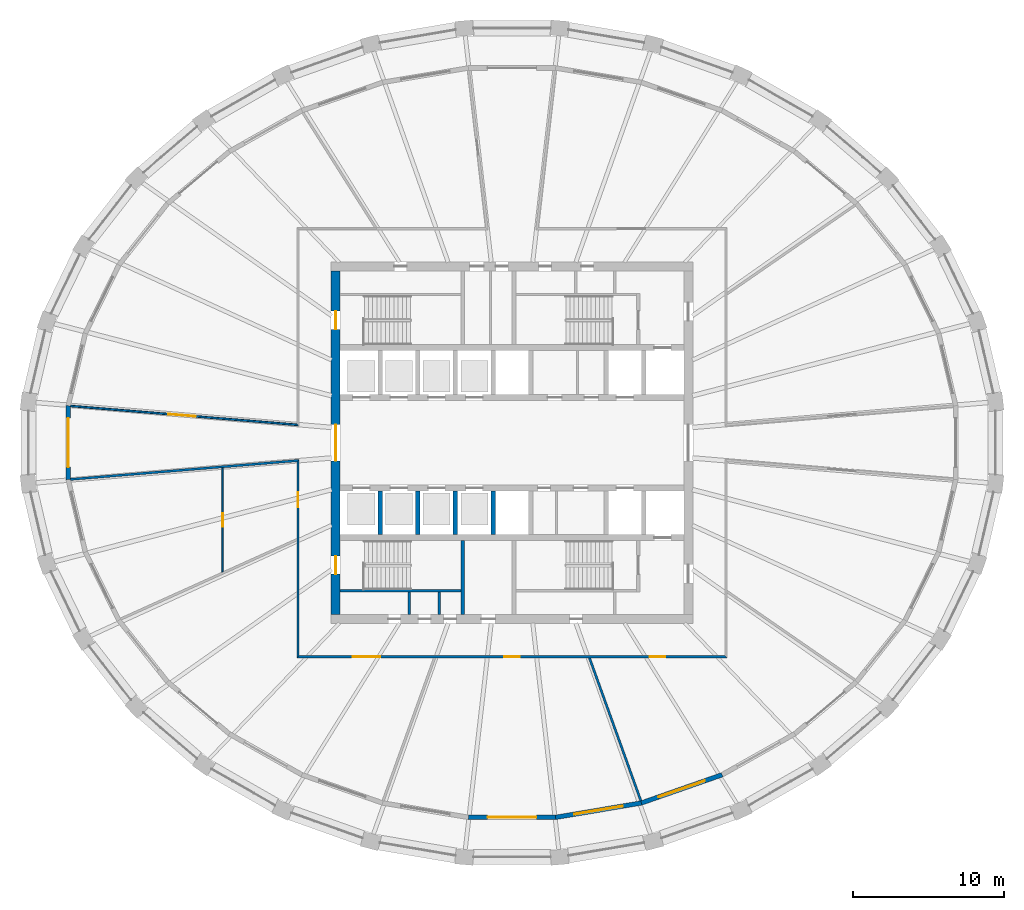
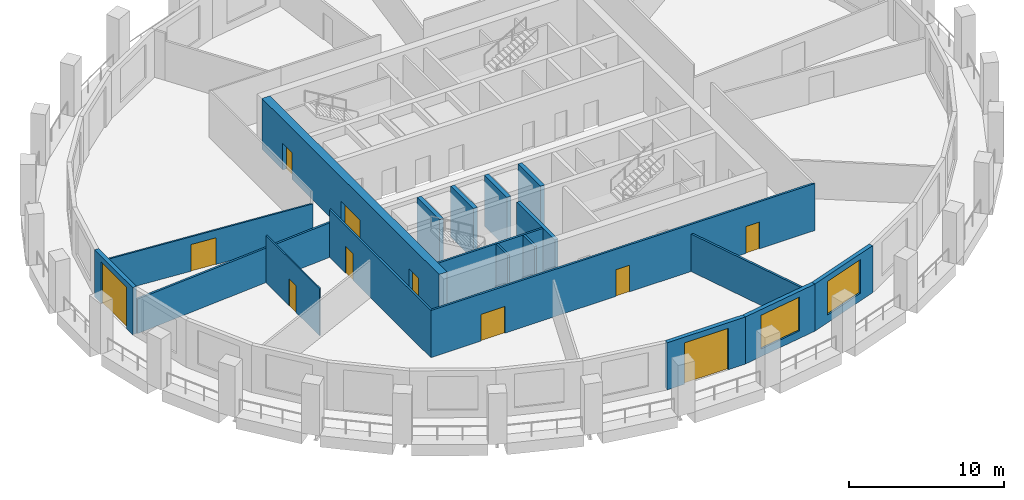
# One storey, part 3 of 10: 19 walls, 11 doors, 2 windows, 13 openings.
"""IFC4 building model written with IfcOpenShell, lengths in metres."""

from ifc_helpers import new_model, si_unit, direction, frame, frame_2d, origin, place, context, subcontext, project, spatial, polyline, rectangle, outline, extrude, material, layer, layer_set, type_object, element, fill, save


model = new_model("IFC4")

# Units and contexts
model_context = context("Model", 3, precision=1e-05, world=origin(), true_north=direction((0.0, 1.0)))
body_context = subcontext(model_context, "Body", "Model", "MODEL_VIEW")
ifc_project = project(units=[si_unit("LENGTHUNIT", "METRE"), si_unit("AREAUNIT", "SQUARE_METRE"), si_unit("VOLUMEUNIT", "CUBIC_METRE"), si_unit("PLANEANGLEUNIT", "RADIAN"), si_unit("MASSUNIT", "GRAM", prefix="KILO")], contexts=[model_context])

# Site, building, storey
site_placement = place(None, origin())
site = spatial("IfcSite", under=ifc_project, at=site_placement, CompositionType="ELEMENT")
building_placement = place(site_placement, origin())
building = spatial("IfcBuilding", under=site, at=building_placement, Name="Halqa Exchange Tower", CompositionType="ELEMENT")
storey_placement = place(building_placement, frame((0.0, 0.0, 202.89990234375)))
storey = spatial("IfcBuildingStorey", under=building, at=storey_placement, Name="L46", CompositionType="ELEMENT", Elevation=202.89990234375)

# Wall
ifc_material_1 = material(Name="Fire-rated gypsum board")
ifc_layer_1 = layer(ifc_material_1, 0.14990234375)
ifc_layer_set_1 = layer_set([ifc_layer_1], Name="Fire-rated gypsum board")
wall_type_1 = type_object("IfcWallType", Name="Fire partition EI 60 150", PredefinedType="PARTITIONING", material=ifc_layer_set_1)
wall_1_placement = place(storey_placement, frame((-29.288330078125, -2.43408203125, 0.0), z_axis=(0.0, 0.0, 1.0), x_axis=(0.9965984313, 0.082410962436, 0.0)))
element("IfcWall", 1, at=wall_1_placement, inside=storey, type_object=wall_type_1, Name="L46-PWL-002", PredefinedType="PARTITIONING", context=body_context, shape_type="SweptSolid", body=[
    extrude(outline(polyline([(0.004638671875, -0.074951171875), (1.886474609375, -0.074951171875), (3.76806640625, -0.074951171875), (5.64990234375, -0.074951171875), (7.531494140625, -0.074951171875), (9.413330078125, -0.074951171875), (11.295166015625, -0.074951171875), (13.1767578125, -0.074951171875), (15.05859375, -0.074951171875), (15.22119140625, 0.07470703125), (15.22119140625, 0.074951171875), (13.318603515625, 0.074951171875), (11.416015625, 0.074951171875), (9.51318359375, 0.074951171875), (7.610595703125, 0.074951171875), (5.7080078125, 0.074951171875), (3.80517578125, 0.074951171875), (1.902587890625, 0.074951171875), (0.0, 0.074951171875), (0.0, -0.044189453125), (0.004638671875, -0.074951171875)])), origin(), (0.0, 0.0, 1.0), 2.710205078125),
])

# Wall, opening, door
wall_2_placement = place(storey_placement, frame((-14.199951171875, -14.27490234375, 0.0), z_axis=(0.0, 0.0, 1.0), x_axis=(0.0, 1.0, 0.0)))
wall_2 = element("IfcWall", 2, at=wall_2_placement, inside=storey, type_object=wall_type_1, Name="L46-PWL-005", PredefinedType="PARTITIONING", context=body_context, shape_type="SweptSolid", body=[
    extrude(outline(polyline([(0.14990234375, -0.074951171875), (2.010009765625, -0.074951171875), (3.869873046875, -0.074951171875), (5.72998046875, -0.074951171875), (7.58984375, -0.074951171875), (9.449951171875, -0.074951171875), (11.309814453125, -0.074951171875), (13.169921875, -0.074951171875), (13.007080078125, 0.074951171875), (11.14892578125, 0.074951171875), (9.290771484375, 0.074951171875), (7.4326171875, 0.074951171875), (5.574462890625, 0.074951171875), (3.71630859375, 0.074951171875), (1.858154296875, 0.074951171875), (0.0, 0.074951171875), (0.14990234375, -0.074951171875)])), origin(), (0.0, 0.0, 1.0), 3.7001953125),
])
opening_1_placement = place(wall_2_placement, frame((9.985107421875, 0.0, 0.0)))
opening_1 = element("IfcOpeningElement", 3, at=opening_1_placement, cuts=wall_2, Name="Opening 14-03", PredefinedType="OPENING", context=body_context, shape_type="SweptSolid", body=[
    extrude(rectangle(XDim=1.0, YDim=2.10009765625, at=frame_2d((0.5, 1.050048828125))), frame((0.0, 0.0869140625, 0.0), z_axis=(0.0, -1.0, 0.0), x_axis=(1.0, 0.0, 0.0)), (0.0, 0.0, 1.0), 0.173828125),
])
ifc_material_2 = material(Name="Steel fire door leaf", Category="steel")
door_type_1 = type_object("IfcDoorType", Name="Fire door FD30S 1000 x 2100", OperationType="SINGLE_SWING_LEFT", PredefinedType="DOOR", material=ifc_material_2)
door_1_placement = place(opening_1_placement, origin())
door_1 = element("IfcDoor", 4, at=door_1_placement, inside=storey, type_object=door_type_1, Name="L46-IDR-003", OperationType="SINGLE_SWING_LEFT", OverallHeight=2.10009765625, OverallWidth=1.0, PredefinedType="DOOR", context=body_context, shape_type="SweptSolid", body=[
    extrude(rectangle(XDim=1.0, YDim=2.10009765625, at=frame_2d((0.5, 1.050048828125))), frame((0.0, 0.02490234375, 0.0), z_axis=(0.0, -1.0, 0.0), x_axis=(1.0, 0.0, 0.0)), (0.0, 0.0, 1.0), 0.050048828125),
])
fill(opening_1, door_1)

# Wall, openings, doors
wall_3_placement = place(storey_placement, frame((-14.27490234375, -14.199951171875, 0.0), z_axis=(0.0, 0.0, 1.0), x_axis=(1.0, 0.0, 0.0)))
wall_3 = element("IfcWall", 5, at=wall_3_placement, inside=storey, type_object=wall_type_1, Name="L46-PWL-006", PredefinedType="PARTITIONING", context=body_context, shape_type="SweptSolid", body=[
    extrude(outline(polyline([(28.5498046875, -0.074951171875), (28.5498046875, -0.074951171875), (28.39990234375, 0.074951171875), (26.5166015625, 0.074951171875), (24.63330078125, 0.074951171875), (22.75, 0.074951171875), (20.866455078125, 0.074951171875), (18.983154296875, 0.074951171875), (17.099853515625, 0.074951171875), (15.216552734375, 0.074951171875), (13.333251953125, 0.074951171875), (11.449951171875, 0.074951171875), (9.566650390625, 0.074951171875), (7.683349609375, 0.074951171875), (5.7998046875, 0.074951171875), (3.91650390625, 0.074951171875), (2.033203125, 0.074951171875), (0.14990234375, 0.074951171875), (0.0, -0.074951171875), (1.9033203125, -0.074951171875), (3.806640625, -0.074951171875), (5.7099609375, -0.074951171875), (7.61328125, -0.074951171875), (9.5166015625, -0.074951171875), (11.419921875, -0.074951171875), (13.3232421875, -0.074951171875), (15.2265625, -0.074951171875), (17.1298828125, -0.074951171875), (19.033203125, -0.074951171875), (20.9365234375, -0.074951171875), (22.83984375, -0.074951171875), (24.7431640625, -0.074951171875), (26.646484375, -0.074951171875), (28.5498046875, -0.074951171875)])), origin(), (0.0, 0.0, 1.0), 3.7001953125),
])
opening_2_placement = place(wall_3_placement, frame((3.719970703125, 0.0, 0.0)))
opening_2 = element("IfcOpeningElement", 6, at=opening_2_placement, cuts=wall_3, Name="Opening 14-04", PredefinedType="OPENING", context=body_context, shape_type="SweptSolid", body=[
    extrude(rectangle(XDim=1.800048828125, YDim=2.10009765625, at=frame_2d((0.89990234375, 1.050048828125))), frame((0.0, 0.0869140625, 0.0), z_axis=(0.0, -1.0, 0.0), x_axis=(1.0, 0.0, 0.0)), (0.0, 0.0, 1.0), 0.173828125),
])
opening_3_placement = place(wall_3_placement, frame((13.77490234375, 0.0, 0.0)))
opening_3 = element("IfcOpeningElement", 7, at=opening_3_placement, cuts=wall_3, Name="Opening 14-05", PredefinedType="OPENING", context=body_context, shape_type="SweptSolid", body=[
    extrude(rectangle(XDim=1.0, YDim=2.10009765625, at=frame_2d((0.5, 1.050048828125))), frame((0.0, 0.0869140625, 0.0), z_axis=(0.0, -1.0, 0.0), x_axis=(1.0, 0.0, 0.0)), (0.0, 0.0, 1.0), 0.173828125),
])
opening_4_placement = place(wall_3_placement, frame((23.429931640625, 0.0, 0.0)))
opening_4 = element("IfcOpeningElement", 8, at=opening_4_placement, cuts=wall_3, Name="Opening 14-06", PredefinedType="OPENING", context=body_context, shape_type="SweptSolid", body=[
    extrude(rectangle(XDim=1.0, YDim=2.10009765625, at=frame_2d((0.5, 1.050048828125))), frame((0.0, 0.0869140625, 0.0), z_axis=(0.0, -1.0, 0.0), x_axis=(1.0, 0.0, 0.0)), (0.0, 0.0, 1.0), 0.173828125),
])
door_2_placement = place(opening_3_placement, frame((1.0, 0.0, 0.0), z_axis=(0.0, 0.0, 1.0), x_axis=(-1.0, 0.0, 0.0)))
door_2 = element("IfcDoor", 9, at=door_2_placement, inside=storey, type_object=door_type_1, Name="L46-IDR-005", OperationType="SINGLE_SWING_LEFT", OverallHeight=2.10009765625, OverallWidth=1.0, PredefinedType="DOOR", context=body_context, shape_type="SweptSolid", body=[
    extrude(rectangle(XDim=1.0, YDim=2.10009765625, at=frame_2d((0.5, 1.050048828125))), frame((0.0, 0.02490234375, 0.0), z_axis=(0.0, -1.0, 0.0), x_axis=(1.0, 0.0, 0.0)), (0.0, 0.0, 1.0), 0.050048828125),
])
fill(opening_3, door_2)
door_3_placement = place(opening_4_placement, frame((1.0, 0.0, 0.0), z_axis=(0.0, 0.0, 1.0), x_axis=(-1.0, 0.0, 0.0)))
door_3 = element("IfcDoor", 10, at=door_3_placement, inside=storey, type_object=door_type_1, Name="L46-IDR-006", OperationType="SINGLE_SWING_LEFT", OverallHeight=2.10009765625, OverallWidth=1.0, PredefinedType="DOOR", context=body_context, shape_type="SweptSolid", body=[
    extrude(rectangle(XDim=1.0, YDim=2.10009765625, at=frame_2d((0.5, 1.050048828125))), frame((0.0, 0.02490234375, 0.0), z_axis=(0.0, -1.0, 0.0), x_axis=(1.0, 0.0, 0.0)), (0.0, 0.0, 1.0), 0.050048828125),
])
fill(opening_4, door_3)
door_type_2 = type_object("IfcDoorType", Name="Fire door FD30S double 1800 x 2100", OperationType="DOUBLE_DOOR_SINGLE_SWING", PredefinedType="DOOR", material=ifc_material_2)
door_4_placement = place(opening_2_placement, frame((1.800048828125, 0.0, 0.0), z_axis=(0.0, 0.0, 1.0), x_axis=(-1.0, 0.0, 0.0)))
door_4 = element("IfcDoor", 11, at=door_4_placement, inside=storey, type_object=door_type_2, Name="L46-IDR-004", OperationType="DOUBLE_DOOR_SINGLE_SWING", OverallHeight=2.10009765625, OverallWidth=1.800048828125, PredefinedType="DOOR", context=body_context, shape_type="SweptSolid", body=[
    extrude(rectangle(XDim=1.800048828125, YDim=2.10009765625, at=frame_2d((0.89990234375, 1.050048828125))), frame((0.0, 0.02490234375, 0.0), z_axis=(0.0, -1.0, 0.0), x_axis=(1.0, 0.0, 0.0)), (0.0, 0.0, 1.0), 0.050048828125),
])
fill(opening_2, door_4)

# Wall
wall_4_placement = place(storey_placement, frame((5.1279296875, -14.25, 0.0), z_axis=(0.0, 0.0, 1.0), x_axis=(0.338529589418, -0.940955746615, 0.0)))
element("IfcWall", 12, at=wall_4_placement, inside=storey, type_object=wall_type_1, Name="L46-PWL-015", PredefinedType="PARTITIONING", context=body_context, shape_type="SweptSolid", body=[
    extrude(outline(polyline([(0.0, -0.074951171875), (1.682373046875, -0.074951171875), (3.364990234375, -0.074951171875), (5.04736328125, -0.074951171875), (6.729736328125, -0.074951171875), (8.412353515625, -0.074951171875), (10.0947265625, -0.074951171875), (10.107421875, -0.0048828125), (10.108154296875, 0.07177734375), (10.108154296875, 0.074951171875), (8.432373046875, 0.074951171875), (6.756591796875, 0.074951171875), (5.080810546875, 0.074951171875), (3.405029296875, 0.074951171875), (1.729248046875, 0.074951171875), (0.053466796875, 0.074951171875), (0.0, -0.07373046875), (0.0, -0.074951171875)])), origin(), (0.0, 0.0, 1.0), 2.947021484375),
])

# Wall, opening, door
ifc_material_3 = material(Name="Fire-rated glazing", Category="glass")
ifc_layer_2 = layer(ifc_material_3, 0.1201171875)
ifc_layer_set_2 = layer_set([ifc_layer_2], Name="Fire-rated glazing")
wall_type_2 = type_object("IfcWallType", Name="Glazed fire partition EI 60 120", PredefinedType="PARTITIONING", material=ifc_layer_set_2)
wall_5_placement = place(storey_placement, frame((-29.289794921875, 2.43408203125, 0.0), z_axis=(0.0, 0.0, 1.0), x_axis=(0.996564113419, -0.082824922852, 0.0)))
wall_5 = element("IfcWall", 13, at=wall_5_placement, inside=storey, type_object=wall_type_2, Name="L46-PWL-001", PredefinedType="PARTITIONING", context=body_context, shape_type="SweptSolid", body=[
    extrude(outline(polyline([(15.20703125, -0.06005859375), (15.20703125, -0.06005859375), (15.20703125, -0.06005859375), (15.20703125, -0.06005859375), (15.141845703125, 0.0), (15.07666015625, 0.06005859375), (13.1923828125, 0.06005859375), (11.308349609375, 0.06005859375), (9.42431640625, 0.06005859375), (7.540283203125, 0.06005859375), (5.656005859375, 0.06005859375), (3.77197265625, 0.06005859375), (1.887939453125, 0.06005859375), (0.00390625, 0.06005859375), (0.0, 0.03466796875), (0.0, -0.06005859375), (1.90087890625, -0.06005859375), (3.8017578125, -0.06005859375), (5.70263671875, -0.06005859375), (7.603515625, -0.06005859375), (9.50439453125, -0.06005859375), (11.4052734375, -0.06005859375), (13.30615234375, -0.06005859375), (15.20703125, -0.06005859375)])), origin(), (0.0, 0.0, 1.0), 2.710205078125),
])
opening_5_placement = place(wall_5_placement, frame((6.515380859375, 0.0, 0.0)))
opening_5 = element("IfcOpeningElement", 14, at=opening_5_placement, cuts=wall_5, Name="Opening 14-02", PredefinedType="OPENING", context=body_context, shape_type="SweptSolid", body=[
    extrude(rectangle(XDim=1.800048828125, YDim=2.10009765625, at=frame_2d((0.89990234375, 1.050048828125))), frame((0.0, 0.072021484375, 0.0), z_axis=(0.0, -1.0, 0.0), x_axis=(1.0, 0.0, 0.0)), (0.0, 0.0, 1.0), 0.14404296875),
])
door_5_placement = place(opening_5_placement, origin())
door_5 = element("IfcDoor", 15, at=door_5_placement, inside=storey, type_object=door_type_2, Name="L46-IDR-002", OperationType="DOUBLE_DOOR_SINGLE_SWING", OverallHeight=2.10009765625, OverallWidth=1.800048828125, PredefinedType="DOOR", context=body_context, shape_type="SweptSolid", body=[
    extrude(rectangle(XDim=1.800048828125, YDim=2.10009765625, at=frame_2d((0.89990234375, 1.050048828125))), frame((0.0, 0.02490234375, 0.0), z_axis=(0.0, -1.0, 0.0), x_axis=(1.0, 0.0, 0.0)), (0.0, 0.0, 1.0), 0.050048828125),
])
fill(opening_5, door_5)

ifc_material_4 = material(Name="Gypsum board")
ifc_layer_3 = layer(ifc_material_4, 0.10009765625)
ifc_layer_set_3 = layer_set([ifc_layer_3], Name="Gypsum board")
wall_type_3 = type_object("IfcWallType", Name="Partition 100 gypsum", PredefinedType="PARTITIONING", material=ifc_layer_set_3)
wall_6_placement = place(storey_placement, frame((-19.199951171875, -8.594970703125, 0.0), z_axis=(0.0, 0.0, 1.0), x_axis=(0.0, 1.0, 0.0)))
wall_6 = element("IfcWall", 16, at=wall_6_placement, inside=storey, type_object=wall_type_3, Name="L46-PWL-004", PredefinedType="PARTITIONING", context=body_context, shape_type="SweptSolid", body=[
    extrude(outline(polyline([(6.923583984375, -0.050048828125), (6.923583984375, -0.046630859375), (6.91552734375, 0.050048828125), (5.186767578125, 0.050048828125), (3.457763671875, 0.050048828125), (1.72900390625, 0.050048828125), (0.0, 0.050048828125), (0.0, 0.049560546875), (0.044921875, -0.050048828125), (1.7646484375, -0.050048828125), (3.484375, -0.050048828125), (5.203857421875, -0.050048828125), (6.923583984375, -0.050048828125)])), origin(), (0.0, 0.0, 1.0), 3.7001953125),
])
opening_6_placement = place(wall_6_placement, frame((3.02001953125, 0.0, 0.0)))
opening_6 = element("IfcOpeningElement", 17, at=opening_6_placement, cuts=wall_6, Name="Opening 14-10", PredefinedType="OPENING", context=body_context, shape_type="SweptSolid", body=[
    extrude(rectangle(XDim=0.89990234375, YDim=2.10009765625, at=frame_2d((0.449951171875, 1.050048828125))), frame((0.0, 0.06201171875, 0.0), z_axis=(0.0, -1.0, 0.0), x_axis=(1.0, 0.0, 0.0)), (0.0, 0.0, 1.0), 0.1240234375),
])
ifc_material_5 = material(Name="Timber door leaf", Category="wood")
door_type_3 = type_object("IfcDoorType", Name="Door 900 x 2100", OperationType="SINGLE_SWING_LEFT", PredefinedType="DOOR", material=ifc_material_5)
door_6_placement = place(opening_6_placement, frame((0.89990234375, 0.0, 0.0), z_axis=(0.0, 0.0, 1.0), x_axis=(-1.0, 0.0, 0.0)))
door_6 = element("IfcDoor", 18, at=door_6_placement, inside=storey, type_object=door_type_3, Name="L46-IDR-010", OperationType="SINGLE_SWING_LEFT", OverallHeight=2.10009765625, OverallWidth=0.89990234375, PredefinedType="DOOR", context=body_context, shape_type="SweptSolid", body=[
    extrude(rectangle(XDim=0.89990234375, YDim=2.10009765625, at=frame_2d((0.449951171875, 1.050048828125))), frame((0.0, 0.02490234375, 0.0), z_axis=(0.0, -1.0, 0.0), x_axis=(1.0, 0.0, 0.0)), (0.0, 0.0, 1.0), 0.050048828125),
])
fill(opening_6, door_6)

# Walls
ifc_layer_4 = layer(ifc_material_4, 0.14990234375)
ifc_layer_set_4 = layer_set([ifc_layer_4], Name="Gypsum board")
wall_type_4 = type_object("IfcWallType", Name="Penthouse riser wall 150 gypsum", PredefinedType="PARTITIONING", material=ifc_layer_set_4)
for number, where, z_axis, x_axis, name in (
    (19, (-6.824951171875, -11.39990234375, 0.0), (0.0, 0.0, 1.0), (0.0, 1.0, 0.0), "Partition W6.825 S"),
    (20, (-4.824951171875, -11.39990234375, 0.0), (0.0, 0.0, 1.0), (0.0, 1.0, 0.0), "Partition W4.825 S"),
):
    element("IfcWall", number, at=place(storey_placement, frame(where, z_axis=z_axis, x_axis=x_axis)), inside=storey, type_object=wall_type_4, Name=name, PredefinedType="PARTITIONING", context=body_context, shape_type="SweptSolid", body=[
        extrude(rectangle(XDim=1.5, YDim=0.14990234375, at=frame_2d((0.75, 0.0))), origin(), (0.0, 0.0, 1.0), 3.7001953125),
    ])
ifc_material_6 = material(Name="Concrete C60/75", Category="concrete")
ifc_layer_5 = layer(ifc_material_6, 0.300048828125)
ifc_layer_set_5 = layer_set([ifc_layer_5], Name="Concrete C60/75")
wall_type_5 = type_object("IfcWallType", Name="RC core wall 300", PredefinedType="SHEAR", material=ifc_layer_set_5)
for number, where, z_axis, x_axis, name in (
    (21, (-8.75, -6.10009765625, 0.0), (0.0, 0.0, 1.0), (0.0, 1.0, 0.0), "Shaft divider S1"),
    (22, (-6.25, -6.10009765625, 0.0), (0.0, 0.0, 1.0), (0.0, 1.0, 0.0), "Shaft divider S2"),
    (23, (-3.75, -6.10009765625, 0.0), (0.0, 0.0, 1.0), (0.0, 1.0, 0.0), "Shaft divider S3"),
    (24, (-1.25, -6.10009765625, 0.0), (0.0, 0.0, 1.0), (0.0, 1.0, 0.0), "Shaft divider S4"),
):
    element("IfcWall", number, at=place(storey_placement, frame(where, z_axis=z_axis, x_axis=x_axis)), inside=storey, type_object=wall_type_5, Name=name, PredefinedType="SHEAR", context=body_context, shape_type="SweptSolid", body=[
        extrude(rectangle(XDim=2.900146484375, YDim=0.300048828125, at=frame_2d((1.4501953125, 0.0))), origin(), (0.0, 0.0, 1.0), 4.0),
    ])

# Wall, openings, doors
ifc_material_7 = material(Name="Concrete C70/85", Category="concrete")
ifc_layer_6 = layer(ifc_material_7, 0.60009765625)
ifc_layer_set_6 = layer_set([ifc_layer_6], Name="Concrete C70/85")
wall_type_6 = type_object("IfcWallType", Name="RC core wall 600 C70/85", PredefinedType="SHEAR", material=ifc_layer_set_6)
wall_7_placement = place(storey_placement, frame((-11.699951171875, -11.39990234375, 0.0), z_axis=(0.0, 0.0, 1.0), x_axis=(0.0, 1.0, 0.0)))
wall_7 = element("IfcWall", 25, at=wall_7_placement, inside=storey, type_object=wall_type_6, Name="Core wall west", PredefinedType="SHEAR", context=body_context, shape_type="SweptSolid", body=[
    extrude(rectangle(XDim=22.7998046875, YDim=0.60009765625, at=frame_2d((11.39990234375, 0.0))), origin(), (0.0, 0.0, 1.0), 4.0),
])
opening_7_placement = place(wall_7_placement, frame((10.199951171875, 0.0, 0.0)))
opening_7 = element("IfcOpeningElement", 26, at=opening_7_placement, cuts=wall_7, Name="Opening T14-C13", PredefinedType="OPENING", context=body_context, shape_type="SweptSolid", body=[
    extrude(rectangle(XDim=2.39990234375, YDim=2.10009765625, at=frame_2d((1.199951171875, 1.050048828125))), frame((0.0, 0.31201171875, 0.0), z_axis=(0.0, -1.0, 0.0), x_axis=(1.0, 0.0, 0.0)), (0.0, 0.0, 1.0), 0.6240234375),
])
opening_8_placement = place(wall_7_placement, frame((18.925048828125, 0.0, 0.0)))
opening_8 = element("IfcOpeningElement", 27, at=opening_8_placement, cuts=wall_7, Name="Opening T14-C15", PredefinedType="OPENING", context=body_context, shape_type="SweptSolid", body=[
    extrude(rectangle(XDim=1.199951171875, YDim=2.10009765625, at=frame_2d((0.60009765625, 1.050048828125))), frame((0.0, 0.31201171875, 0.0), z_axis=(0.0, -1.0, 0.0), x_axis=(1.0, 0.0, 0.0)), (0.0, 0.0, 1.0), 0.6240234375),
])
opening_9_placement = place(wall_7_placement, frame((2.675048828125, 0.0, 0.0)))
opening_9 = element("IfcOpeningElement", 28, at=opening_9_placement, cuts=wall_7, Name="Opening T14-C17", PredefinedType="OPENING", context=body_context, shape_type="SweptSolid", body=[
    extrude(rectangle(XDim=1.199951171875, YDim=2.10009765625, at=frame_2d((0.60009765625, 1.050048828125))), frame((0.0, 0.31201171875, 0.0), z_axis=(0.0, -1.0, 0.0), x_axis=(1.0, 0.0, 0.0)), (0.0, 0.0, 1.0), 0.6240234375),
])
door_type_4 = type_object("IfcDoorType", Name="Lobby double door FD60 2400 x 2100", OperationType="DOUBLE_DOOR_SINGLE_SWING", PredefinedType="DOOR", material=ifc_material_2)
door_7_placement = place(opening_7_placement, frame((2.39990234375, 0.0, 0.0), z_axis=(0.0, 0.0, 1.0), x_axis=(-1.0, 0.0, 0.0)))
door_7 = element("IfcDoor", 29, at=door_7_placement, inside=storey, type_object=door_type_4, Name="Lift lobby double door", OperationType="DOUBLE_DOOR_SINGLE_SWING", OverallHeight=2.10009765625, OverallWidth=2.39990234375, PredefinedType="DOOR", context=body_context, shape_type="SweptSolid", body=[
    extrude(rectangle(XDim=2.39990234375, YDim=2.10009765625, at=frame_2d((1.199951171875, 1.050048828125))), frame((0.0, 0.02490234375, 0.0), z_axis=(0.0, -1.0, 0.0), x_axis=(1.0, 0.0, 0.0)), (0.0, 0.0, 1.0), 0.050048828125),
])
fill(opening_7, door_7)
door_type_5 = type_object("IfcDoorType", Name="Stair door FD90 1200 x 2100", OperationType="SINGLE_SWING_LEFT", PredefinedType="DOOR", material=ifc_material_2)
door_8_placement = place(opening_8_placement, frame((1.199951171875, 0.0, 0.0), z_axis=(0.0, 0.0, 1.0), x_axis=(-1.0, 0.0, 0.0)))
door_8 = element("IfcDoor", 30, at=door_8_placement, inside=storey, type_object=door_type_5, Name="Stair door ST1", OperationType="SINGLE_SWING_RIGHT", OverallHeight=2.10009765625, OverallWidth=1.199951171875, PredefinedType="DOOR", context=body_context, shape_type="SweptSolid", body=[
    extrude(rectangle(XDim=1.199951171875, YDim=2.10009765625, at=frame_2d((0.60009765625, 1.050048828125))), frame((0.0, 0.02490234375, 0.0), z_axis=(0.0, -1.0, 0.0), x_axis=(1.0, 0.0, 0.0)), (0.0, 0.0, 1.0), 0.050048828125),
])
fill(opening_8, door_8)
door_9_placement = place(opening_9_placement, frame((1.199951171875, 0.0, 0.0), z_axis=(0.0, 0.0, 1.0), x_axis=(-1.0, 0.0, 0.0)))
door_9 = element("IfcDoor", 31, at=door_9_placement, inside=storey, type_object=door_type_5, Name="Stair door ST3", OperationType="SINGLE_SWING_RIGHT", OverallHeight=2.10009765625, OverallWidth=1.199951171875, PredefinedType="DOOR", context=body_context, shape_type="SweptSolid", body=[
    extrude(rectangle(XDim=1.199951171875, YDim=2.10009765625, at=frame_2d((0.60009765625, 1.050048828125))), frame((0.0, 0.02490234375, 0.0), z_axis=(0.0, -1.0, 0.0), x_axis=(1.0, 0.0, 0.0)), (0.0, 0.0, 1.0), 0.050048828125),
])
fill(opening_9, door_9)

# Walls
ifc_material_8 = material(Name="Concrete C30/37", Category="concrete")
ifc_layer_7 = layer(ifc_material_8, 0.14990234375)
ifc_layer_set_7 = layer_set([ifc_layer_7], Name="Concrete C30/37")
wall_type_7 = type_object("IfcWallType", Name="RC stair wall 150 C30/37", PredefinedType="SHEAR", material=ifc_layer_set_7)
wall_8_placement = place(storey_placement, frame((-11.39990234375, -9.824951171875, 0.0), z_axis=(0.0, 0.0, 1.0), x_axis=(1.0, 0.0, 0.0)))
element("IfcWall", 32, at=wall_8_placement, inside=storey, type_object=wall_type_7, Name="Stair ST1 north wall S", PredefinedType="SHEAR", context=body_context, shape_type="SweptSolid", body=[
    extrude(rectangle(XDim=8.0, YDim=0.14990234375, at=frame_2d((4.0, 0.0))), origin(), (0.0, 0.0, 1.0), 3.7001953125),
])
ifc_layer_8 = layer(ifc_material_8, 0.25)
ifc_layer_set_8 = layer_set([ifc_layer_8], Name="Concrete C30/37")
wall_type_8 = type_object("IfcWallType", Name="RC stair wall 250 C30/37", PredefinedType="SHEAR", material=ifc_layer_set_8)
wall_9_placement = place(storey_placement, frame((-3.27490234375, -11.39990234375, 0.0), z_axis=(0.0, 0.0, 1.0), x_axis=(0.0, 1.0, 0.0)))
element("IfcWall", 33, at=wall_9_placement, inside=storey, type_object=wall_type_8, Name="Stair ST1 east wall S", PredefinedType="SHEAR", context=body_context, shape_type="SweptSolid", body=[
    extrude(rectangle(XDim=4.89990234375, YDim=0.25, at=frame_2d((2.449951171875, 0.0))), origin(), (0.0, 0.0, 1.0), 3.7001953125),
])

# Wall, opening, door
ifc_material_9 = material(Name="Limestone cladding", Category="masonry")
ifc_layer_9 = layer(ifc_material_9, 0.0400390625)
ifc_material_10 = material(Name="Ventilated cavity")
ifc_layer_10 = layer(ifc_material_10, 0.030029296875, ventilated=True)
ifc_material_11 = material(Name="Mineral wool insulation")
ifc_layer_11 = layer(ifc_material_11, 0.10009765625)
ifc_layer_12 = layer(ifc_material_8, 0.10009765625)
ifc_material_12 = material(Name="Internal plaster")
ifc_layer_13 = layer(ifc_material_12, 0.030029296875)
ifc_layer_set_9 = layer_set([ifc_layer_9, ifc_layer_10, ifc_layer_11, ifc_layer_12, ifc_layer_13], Name="Stone-faced insulated wall 300")
wall_type_9 = type_object("IfcWallType", Name="Stone-faced insulated wall 300", PredefinedType="STANDARD", material=ifc_layer_set_9)
wall_10_placement = place(storey_placement, frame((-29.445068359375, 2.451416015625, 0.0), z_axis=(0.0, 0.0, 1.0), x_axis=(0.0, -1.0, 0.0)))
wall_10 = element("IfcWall", 34, at=wall_10_placement, inside=storey, type_object=wall_type_9, Name="Glass-line wall 16", PredefinedType="STANDARD", context=body_context, shape_type="SweptSolid", body=[
    extrude(outline(polyline([(-0.017333984375, -0.14990234375), (4.920166015625, -0.14990234375), (4.885498046875, 0.14990234375), (0.017333984375, 0.14990234375), (-0.017333984375, -0.14990234375)])), origin(), (0.0, 0.0, 1.0), 3.7001953125),
])
opening_10_placement = place(wall_10_placement, frame((0.826416015625, 0.0, 0.0)))
opening_10 = element("IfcOpeningElement", 35, at=opening_10_placement, cuts=wall_10, Name="Opening LG-F3-04", PredefinedType="OPENING", context=body_context, shape_type="SweptSolid", body=[
    extrude(rectangle(XDim=3.25, YDim=3.25, at=frame_2d((1.625, 1.625))), frame((0.0, 0.162109375, 0.0), z_axis=(0.0, -1.0, 0.0), x_axis=(1.0, 0.0, 0.0)), (0.0, 0.0, 1.0), 0.323974609375),
])
ifc_material_13 = material(Name="Clear low-emissivity glass in aluminium frame", Category="aluminium")
door_type_6 = type_object("IfcDoorType", Name="Glazed sliding loggia door 3250 x 3250", OperationType="DOUBLE_DOOR_SLIDING", PredefinedType="DOOR", material=ifc_material_13)
door_10_placement = place(opening_10_placement, origin())
door_10 = element("IfcDoor", 36, at=door_10_placement, inside=storey, type_object=door_type_6, Name="Loggia door 4", OperationType="DOUBLE_DOOR_SLIDING", OverallHeight=3.25, OverallWidth=3.25, PredefinedType="DOOR", context=body_context, shape_type="SweptSolid", body=[
    extrude(rectangle(XDim=3.25, YDim=3.25, at=frame_2d((1.625, 1.625))), frame((0.0, 0.02490234375, 0.0), z_axis=(0.0, -1.0, 0.0), x_axis=(1.0, 0.0, 0.0)), (0.0, 0.0, 1.0), 0.050048828125),
])
fill(opening_10, door_10)

wall_11_placement = place(storey_placement, frame((-2.897705078125, -24.86181640625, 0.0), z_axis=(0.0, 0.0, 1.0), x_axis=(1.0, 0.0, 0.0)))
wall_11 = element("IfcWall", 37, at=wall_11_placement, inside=storey, type_object=wall_type_9, Name="Glass-line wall 24", PredefinedType="STANDARD", context=body_context, shape_type="SweptSolid", body=[
    extrude(outline(polyline([(-0.012451171875, -0.14990234375), (5.807861328125, -0.14990234375), (5.782958984375, 0.14990234375), (0.012451171875, 0.14990234375), (-0.012451171875, -0.14990234375)])), origin(), (0.0, 0.0, 1.0), 3.7001953125),
])
opening_11_placement = place(wall_11_placement, frame((1.272705078125, 0.0, 0.0)))
opening_11 = element("IfcOpeningElement", 38, at=opening_11_placement, cuts=wall_11, Name="Opening LG-F3-06", PredefinedType="OPENING", context=body_context, shape_type="SweptSolid", body=[
    extrude(rectangle(XDim=3.25, YDim=3.25, at=frame_2d((1.625, 1.625))), frame((0.0, 0.162109375, 0.0), z_axis=(0.0, -1.0, 0.0), x_axis=(1.0, 0.0, 0.0)), (0.0, 0.0, 1.0), 0.323974609375),
])
door_11_placement = place(opening_11_placement, origin())
door_11 = element("IfcDoor", 39, at=door_11_placement, inside=storey, type_object=door_type_6, Name="Loggia door 6", OperationType="DOUBLE_DOOR_SLIDING", OverallHeight=3.25, OverallWidth=3.25, PredefinedType="DOOR", context=body_context, shape_type="SweptSolid", body=[
    extrude(rectangle(XDim=3.25, YDim=3.25, at=frame_2d((1.625, 1.625))), frame((0.0, 0.02490234375, 0.0), z_axis=(0.0, -1.0, 0.0), x_axis=(1.0, 0.0, 0.0)), (0.0, 0.0, 1.0), 0.050048828125),
])
fill(opening_11, door_11)

# Wall, opening, window
wall_12_placement = place(storey_placement, frame((2.897705078125, -24.86181640625, 0.0), z_axis=(0.0, 0.0, 1.0), x_axis=(0.98622052717, 0.165436005116, 0.0)))
wall_12 = element("IfcWall", 40, at=wall_12_placement, inside=storey, type_object=wall_type_9, Name="Glass-line wall 25", PredefinedType="STANDARD", context=body_context, shape_type="SweptSolid", body=[
    extrude(outline(polyline([(-0.012451171875, -0.14990234375), (5.77685546875, -0.14990234375), (5.75146484375, 0.14990234375), (0.012451171875, 0.14990234375), (-0.012451171875, -0.14990234375)])), origin(), (0.0, 0.0, 1.0), 3.7001953125),
])
opening_12_placement = place(wall_12_placement, frame((1.257080078125, 0.0, 0.60009765625)))
opening_12 = element("IfcOpeningElement", 41, at=opening_12_placement, cuts=wall_12, Name="Opening W-F3-25", PredefinedType="OPENING", context=body_context, shape_type="SweptSolid", body=[
    extrude(rectangle(XDim=3.25, YDim=2.64990234375, at=frame_2d((1.625, 1.324951171875))), frame((0.0, 0.162109375, 0.0), z_axis=(0.0, -1.0, 0.0), x_axis=(1.0, 0.0, 0.0)), (0.0, 0.0, 1.0), 0.323974609375),
])
window_type = type_object("IfcWindowType", Name="Fixed clear glazed window 3250 x 2650", PartitioningType="TRIPLE_PANEL_VERTICAL", PredefinedType="WINDOW", material=ifc_material_13)
window_1_placement = place(opening_12_placement, origin())
window_1 = element("IfcWindow", 42, at=window_1_placement, inside=storey, type_object=window_type, Name="Window 3", OverallHeight=2.64990234375, OverallWidth=3.25, PartitioningType="TRIPLE_PANEL_VERTICAL", PredefinedType="WINDOW", context=body_context, shape_type="SweptSolid", body=[
    extrude(rectangle(XDim=3.25, YDim=2.64990234375, at=frame_2d((1.625, 1.324951171875))), frame((0.0, 0.030029296875, 0.0), z_axis=(0.0, -1.0, 0.0), x_axis=(1.0, 0.0, 0.0)), (0.0, 0.0, 1.0), 0.06005859375),
])
fill(opening_12, window_1)

wall_13_placement = place(storey_placement, frame((8.58251953125, -23.908203125, 0.0), z_axis=(0.0, 0.0, 1.0), x_axis=(0.944023272224, 0.329878858824, 0.0)))
wall_13 = element("IfcWall", 43, at=wall_13_placement, inside=storey, type_object=wall_type_9, Name="Glass-line wall 26", PredefinedType="STANDARD", context=body_context, shape_type="SweptSolid", body=[
    extrude(outline(polyline([(-0.0126953125, -0.14990234375), (5.68701171875, -0.14990234375), (5.66015625, 0.14990234375), (0.0126953125, 0.14990234375), (-0.0126953125, -0.14990234375)])), origin(), (0.0, 0.0, 1.0), 3.7001953125),
])
opening_13_placement = place(wall_13_placement, frame((1.2119140625, 0.0, 0.60009765625)))
opening_13 = element("IfcOpeningElement", 44, at=opening_13_placement, cuts=wall_13, Name="Opening W-F3-26", PredefinedType="OPENING", context=body_context, shape_type="SweptSolid", body=[
    extrude(rectangle(XDim=3.25, YDim=2.64990234375, at=frame_2d((1.625, 1.324951171875))), frame((0.0, 0.162109375, 0.0), z_axis=(0.0, -1.0, 0.0), x_axis=(1.0, 0.0, 0.0)), (0.0, 0.0, 1.0), 0.323974609375),
])
window_2_placement = place(opening_13_placement, origin())
window_2 = element("IfcWindow", 45, at=window_2_placement, inside=storey, type_object=window_type, Name="Window 3", OverallHeight=2.64990234375, OverallWidth=3.25, PartitioningType="TRIPLE_PANEL_VERTICAL", PredefinedType="WINDOW", context=body_context, shape_type="SweptSolid", body=[
    extrude(rectangle(XDim=3.25, YDim=2.64990234375, at=frame_2d((1.625, 1.324951171875))), frame((0.0, 0.030029296875, 0.0), z_axis=(0.0, -1.0, 0.0), x_axis=(1.0, 0.0, 0.0)), (0.0, 0.0, 1.0), 0.06005859375),
])
fill(opening_13, window_2)

save(model, "model.ifc")
